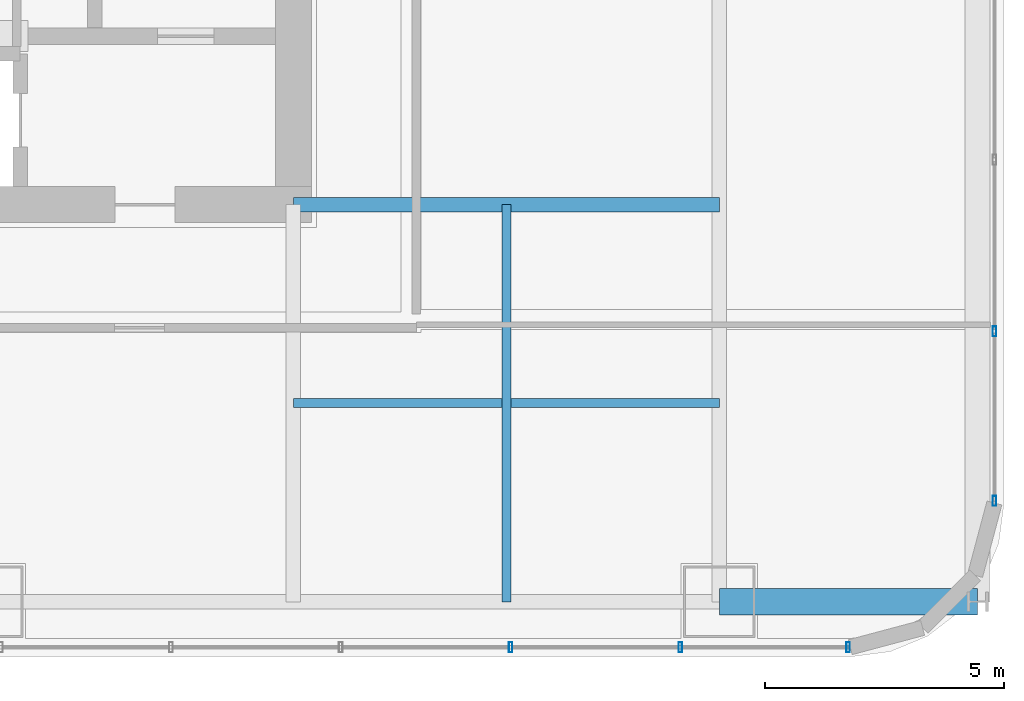
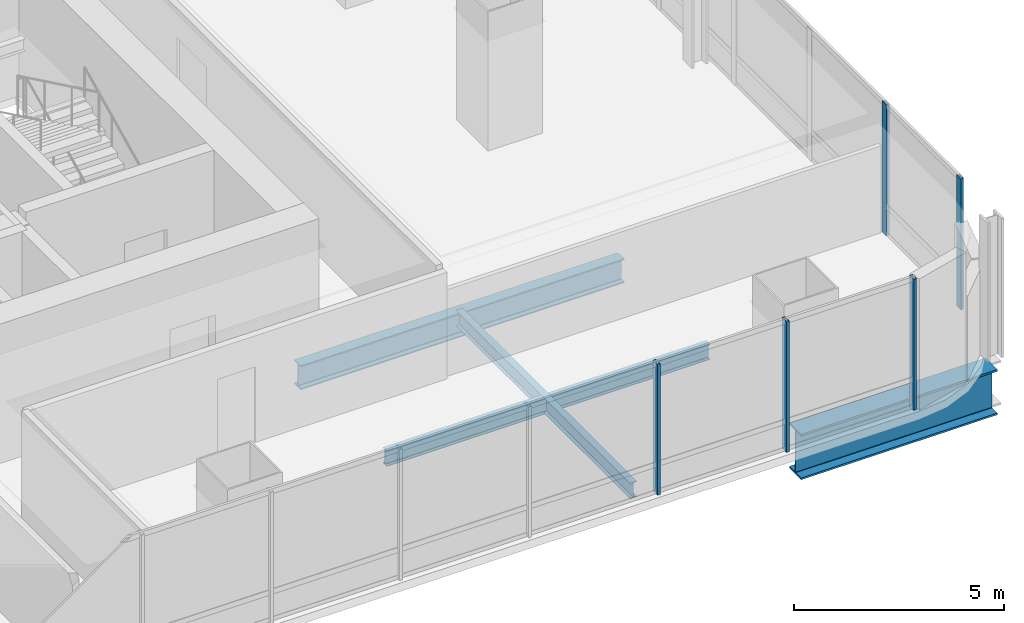
# One storey, part 13 of 34: 5 members, 4 beams, 2 elements without a shape of their own.
"""IFC4 building model written with IfcOpenShell, lengths in metres."""

from ifc_helpers import new_model, si_unit, direction, frame, origin, origin_2d, place, context, subcontext, project, spatial, hollow_rectangle, i_section, extrude, material, material_profile, profile_set, type_object, element, aggregate, save


model = new_model("IFC4")

# Units and contexts
model_context = context("Model", 3, precision=1e-05, world=origin(), true_north=direction((0.0, 1.0)))
body_context = subcontext(model_context, "Body", "Model", "MODEL_VIEW")
ifc_project = project(units=[si_unit("LENGTHUNIT", "METRE"), si_unit("AREAUNIT", "SQUARE_METRE"), si_unit("VOLUMEUNIT", "CUBIC_METRE"), si_unit("PLANEANGLEUNIT", "RADIAN"), si_unit("MASSUNIT", "GRAM", prefix="KILO")], contexts=[model_context])

# Site, building, storey
site_placement = place(None, origin())
site = spatial("IfcSite", under=ifc_project, at=site_placement, CompositionType="ELEMENT")
building_placement = place(site_placement, origin())
building = spatial("IfcBuilding", under=site, at=building_placement, Name="Punatoya Terracotta Tower", CompositionType="ELEMENT")
storey_placement = place(building_placement, frame((0.0, 0.0, 117.300048828125)))
storey = spatial("IfcBuildingStorey", under=building, at=storey_placement, Name="L27", CompositionType="ELEMENT", Elevation=117.300048828125)

# Beams
ifc_material_1 = material(Name="Steel S355", Category="steel")
ifc_material_profile_1 = material_profile(ifc_material_1, i_section(OverallWidth=0.300048828125, OverallDepth=0.699951171875, WebThickness=0.01708984375, FlangeThickness=0.031982421875, FilletRadius=0.01806640625, at=origin_2d()))
ifc_profile_set_1 = profile_set([ifc_material_profile_1], Name="Steel S355")
beam_type_1 = type_object("IfcBeamType", Name="BM-PRI-700", PredefinedType="BEAM", material=ifc_profile_set_1)
beam_1_placement = place(storey_placement, frame((10.199951171875, -9.199951171875, -0.590087890625), z_axis=(1.0, 0.0, 0.0), x_axis=(0.0, 1.0, 0.0)))
element("IfcBeam", 1, at=beam_1_placement, inside=storey, type_object=beam_type_1, Name="BM-L27-PR-ES", PredefinedType="BEAM", context=body_context, shape_type="SweptSolid", body=[
    extrude(i_section(OverallWidth=0.300048828125, OverallDepth=0.699951171875, WebThickness=0.01708984375, FlangeThickness=0.031982421875, FilletRadius=0.01806640625, at=origin_2d()), origin(), (0.0, 0.0, 1.0), 8.900146484375),
])
ifc_material_profile_2 = material_profile(ifc_material_1, i_section(OverallWidth=0.18994140625, OverallDepth=0.449951171875, WebThickness=0.009521484375, FlangeThickness=0.0146484375, FilletRadius=0.01806640625, at=origin_2d()))
ifc_profile_set_2 = profile_set([ifc_material_profile_2], Name="Steel S355")
beam_type_2 = type_object("IfcBeamType", Name="BM-SEC-450", PredefinedType="JOIST", material=ifc_profile_set_2)
beam_2_placement = place(storey_placement, frame((10.199951171875, -13.35009765625, -0.465087890625), z_axis=(1.0, 0.0, 0.0), x_axis=(0.0, 1.0, 0.0)))
element("IfcBeam", 2, at=beam_2_placement, inside=storey, type_object=beam_type_2, Name="BM-L27-SJS-2", PredefinedType="JOIST", context=body_context, shape_type="SweptSolid", body=[
    extrude(i_section(OverallWidth=0.18994140625, OverallDepth=0.449951171875, WebThickness=0.009521484375, FlangeThickness=0.0146484375, FilletRadius=0.01806640625, at=origin_2d()), origin(), (0.0, 0.0, 1.0), 8.900146484375),
])
beam_3_placement = place(storey_placement, frame((14.64990234375, -17.5, -0.465087890625), z_axis=(0.0, 1.0, 0.0), x_axis=(-1.0, 0.0, 0.0)))
element("IfcBeam", 3, at=beam_3_placement, inside=storey, type_object=beam_type_2, Name="BM-L27-SJE-1", PredefinedType="JOIST", context=body_context, shape_type="SweptSolid", body=[
    extrude(i_section(OverallWidth=0.18994140625, OverallDepth=0.449951171875, WebThickness=0.009521484375, FlangeThickness=0.0146484375, FilletRadius=0.01806640625, at=origin_2d()), origin(), (0.0, 0.0, 1.0), 8.300048828125),
])
ifc_material_2 = material(Name="Steel S460", Category="steel")
ifc_material_profile_3 = material_profile(ifc_material_2, i_section(OverallWidth=0.56005859375, OverallDepth=1.320068359375, WebThickness=0.035888671875, FlangeThickness=0.054931640625, FilletRadius=0.01806640625, at=origin_2d()))
ifc_profile_set_3 = profile_set([ifc_material_profile_3], Name="Steel S460")
beam_type_3 = type_object("IfcBeamType", Name="BM-TG-BLK", PredefinedType="BEAM", material=ifc_profile_set_3)
beam_4_placement = place(storey_placement, frame((19.10009765625, -17.5, -0.900146484375), z_axis=(1.0, 0.0, 0.0), x_axis=(0.0, 1.0, 0.0)))
element("IfcBeam", 4, at=beam_4_placement, inside=storey, type_object=beam_type_3, Name="BM-L27-CANT-E1", PredefinedType="BEAM", context=body_context, shape_type="SweptSolid", body=[
    extrude(i_section(OverallWidth=0.56005859375, OverallDepth=1.320068359375, WebThickness=0.035888671875, FlangeThickness=0.054931640625, FilletRadius=0.01806640625, at=origin_2d()), origin(), (0.0, 0.0, 1.0), 5.39990234375),
])

# Curtain wall, members
ifc_material_3 = material(Name="Aluminium 6063-T6 + Double Low-E Glass", Category="aluminium")
curtain_wall_type = type_object("IfcCurtainWallType", Name="CW-M1", PredefinedType="NOTDEFINED", material=ifc_material_3)
curtain_wall_1_placement = place(storey_placement, origin())
curtain_wall_1 = element("IfcCurtainWall", 5, at=curtain_wall_1_placement, inside=storey, type_object=curtain_wall_type, Name="L27 Curtain Wall CW-L27-S01-1", PredefinedType="NOTDEFINED")
ifc_material_4 = material(Name="Aluminium 6063-T6", Category="aluminium")
ifc_material_profile_4 = material_profile(ifc_material_4, hollow_rectangle(XDim=0.074951171875, YDim=0.2099609375, WallThickness=0.00439453125, at=origin_2d()))
ifc_profile_set_4 = profile_set([ifc_material_profile_4], Name="Aluminium 6063-T6")
member_type = type_object("IfcMemberType", Name="CW-MUL-M1", PredefinedType="MULLION", material=ifc_profile_set_4)
member_1_placement = place(storey_placement, frame((14.739501953125, -18.449951171875, 0.0), z_axis=(0.0, 0.0, 1.0), x_axis=(1.0, 0.0, 0.0)))
member_1 = element("IfcMember", 6, at=member_1_placement, type_object=member_type, Name="CW-L27-S01-1 Mullion 08", PredefinedType="MULLION", context=body_context, shape_type="SweptSolid", body=[
    extrude(hollow_rectangle(XDim=0.074951171875, YDim=0.2099609375, WallThickness=0.00439453125, at=origin_2d()), origin(), (0.0, 0.0, 1.0), 3.81005859375),
])
member_2_placement = place(storey_placement, frame((18.2880859375, -18.449951171875, 0.0), z_axis=(0.0, 0.0, 1.0), x_axis=(1.0, 0.0, 0.0)))
member_2 = element("IfcMember", 7, at=member_2_placement, type_object=member_type, Name="CW-L27-S01-1 Mullion 09", PredefinedType="MULLION", context=body_context, shape_type="SweptSolid", body=[
    extrude(hollow_rectangle(XDim=0.074951171875, YDim=0.2099609375, WallThickness=0.00439453125, at=origin_2d()), origin(), (0.0, 0.0, 1.0), 3.81005859375),
])
member_3_placement = place(storey_placement, frame((21.7919921875, -18.449951171875, 0.0), z_axis=(0.0, 0.0, 1.0), x_axis=(1.0, 0.0, 0.0)))
member_3 = element("IfcMember", 8, at=member_3_placement, type_object=member_type, Name="CW-L27-S01-1 Mullion 10", PredefinedType="MULLION", context=body_context, shape_type="SweptSolid", body=[
    extrude(hollow_rectangle(XDim=0.074951171875, YDim=0.2099609375, WallThickness=0.00439453125, at=origin_2d()), origin(), (0.0, 0.0, 1.0), 3.81005859375),
])
aggregate(curtain_wall_1, [member_1, member_2, member_3])

curtain_wall_2_placement = place(storey_placement, origin())
curtain_wall_2 = element("IfcCurtainWall", 9, at=curtain_wall_2_placement, inside=storey, type_object=curtain_wall_type, Name="L27 Curtain Wall CW-L27-E05-1", PredefinedType="NOTDEFINED")
member_4_placement = place(storey_placement, frame((24.85009765625, -15.391845703125, 0.0), z_axis=(0.0, 0.0, 1.0), x_axis=(1.0, 0.0, 0.0)))
member_4 = element("IfcMember", 10, at=member_4_placement, type_object=member_type, Name="CW-L27-E05-1 Mullion 00", PredefinedType="MULLION", context=body_context, shape_type="SweptSolid", body=[
    extrude(hollow_rectangle(XDim=0.074951171875, YDim=0.2099609375, WallThickness=0.00439453125, at=origin_2d()), origin(), (0.0, 0.0, 1.0), 3.81005859375),
])
member_5_placement = place(storey_placement, frame((24.85009765625, -11.849609375, 0.0), z_axis=(0.0, 0.0, 1.0), x_axis=(1.0, 0.0, 0.0)))
member_5 = element("IfcMember", 11, at=member_5_placement, type_object=member_type, Name="CW-L27-E05-1 Mullion 01", PredefinedType="MULLION", context=body_context, shape_type="SweptSolid", body=[
    extrude(hollow_rectangle(XDim=0.074951171875, YDim=0.2099609375, WallThickness=0.00439453125, at=origin_2d()), origin(), (0.0, 0.0, 1.0), 3.81005859375),
])
aggregate(curtain_wall_2, [member_4, member_5])

save(model, "model.ifc")
